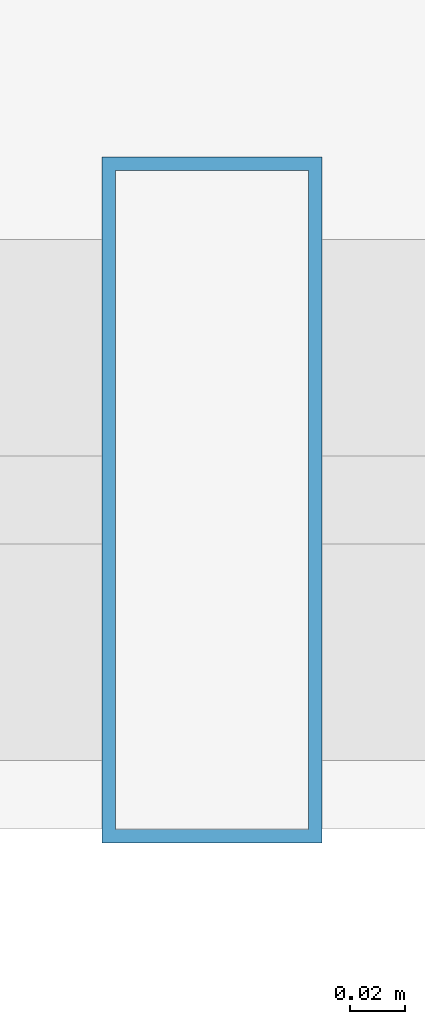
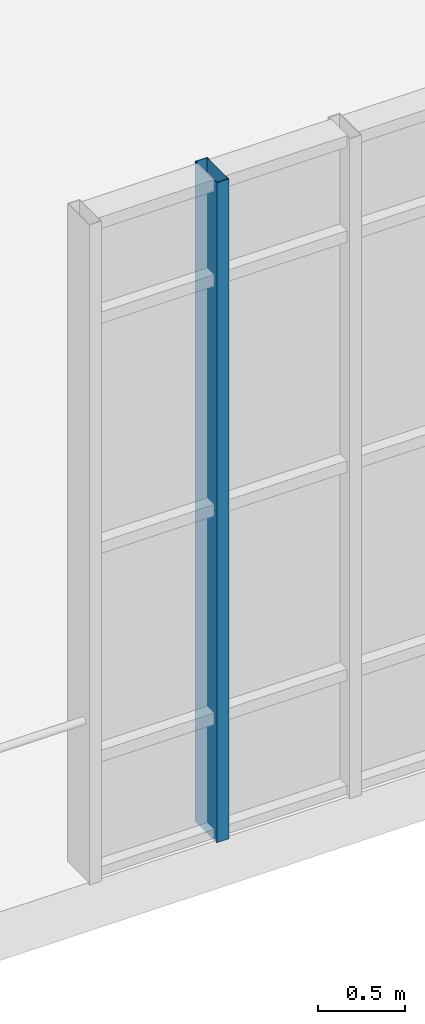
# One storey, part 23 of 189: 1 member, 1 element without a shape of its own.
"""IFC4 building model written with IfcOpenShell, lengths in metres."""

from ifc_helpers import new_model, si_unit, direction, frame, origin, origin_2d, place, context, subcontext, project, spatial, hollow_rectangle, extrude, material, layer, layer_set, material_profile, profile_set, type_object, element, aggregate, save


model = new_model("IFC4")

# Units and contexts
model_context = context("Model", 3, precision=1e-05, world=origin(), true_north=direction((0.0, 1.0)))
body_context = subcontext(model_context, "Body", "Model", "MODEL_VIEW")
ifc_project = project(units=[si_unit("LENGTHUNIT", "METRE"), si_unit("AREAUNIT", "SQUARE_METRE"), si_unit("VOLUMEUNIT", "CUBIC_METRE"), si_unit("PLANEANGLEUNIT", "RADIAN"), si_unit("MASSUNIT", "GRAM", prefix="KILO"), si_unit("THERMODYNAMICTEMPERATUREUNIT", "KELVIN"), si_unit("POWERUNIT", "WATT")], contexts=[model_context])

# Site, building, storey
site_placement = place(None, origin())
site = spatial("IfcSite", under=ifc_project, at=site_placement, CompositionType="ELEMENT")
building_placement = place(site_placement, origin())
building = spatial("IfcBuilding", under=site, at=building_placement, Name="Zelmaris Science Centre", CompositionType="ELEMENT")
storey_placement = place(building_placement, origin())
storey = spatial("IfcBuildingStorey", under=building, at=storey_placement, Name="L00", CompositionType="ELEMENT", Elevation=0.0)

# Curtain wall, member
ifc_material = material(Name="Anodised architectural aluminium 6063-T6", Category="aluminium")
ifc_layer = layer(ifc_material, 0.18994140625, Name="Anodised architectural aluminium 6063-T6")
ifc_layer_set = layer_set([ifc_layer], Name="Anodised architectural aluminium 6063-T6")
curtain_wall_type = type_object("IfcCurtainWallType", Name="Curtain Wall CW-01", PredefinedType="USERDEFINED", material=ifc_layer_set)
curtain_wall_placement = place(storey_placement, origin())
curtain_wall = element("IfcCurtainWall", 1, at=curtain_wall_placement, inside=storey, type_object=curtain_wall_type, Name="L00 Unitised curtain wall 121", ObjectType="GLAZED CURTAIN WALL", PredefinedType="USERDEFINED")
ifc_material_profile = material_profile(ifc_material, hollow_rectangle(XDim=0.080078125, YDim=0.25, WallThickness=0.0048828125, at=origin_2d()), Name="ALU-MUL-80X250")
ifc_profile_set = profile_set([ifc_material_profile], Name="Anodised architectural aluminium 6063-T6")
member_type = type_object("IfcMemberType", Name="ALU-MUL-80X250", PredefinedType="MULLION", material=ifc_profile_set)
member_placement = place(storey_placement, frame((64.4287109375, 22.119873046875, -0.014892578125), z_axis=(0.0, 0.0, 1.0), x_axis=(-0.999999999816, 1.9198622e-05, 0.0)))
member = element("IfcMember", 2, at=member_placement, type_object=member_type, Name="CW-01 mullion 5", PredefinedType="MULLION", context=body_context, shape_type="SweptSolid", body=[
    extrude(hollow_rectangle(XDim=0.080078125, YDim=0.25, WallThickness=0.0048828125, at=origin_2d()), origin(), (0.0, 0.0, 1.0), 4.614990234375),
])
aggregate(curtain_wall, [member])

save(model, "model.ifc")
